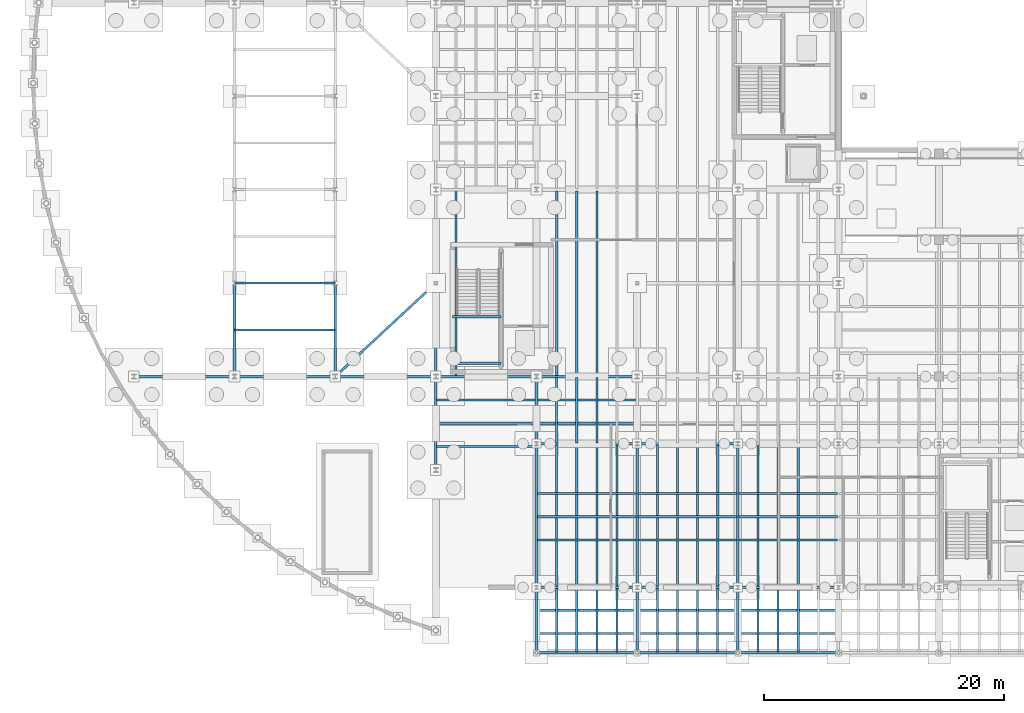
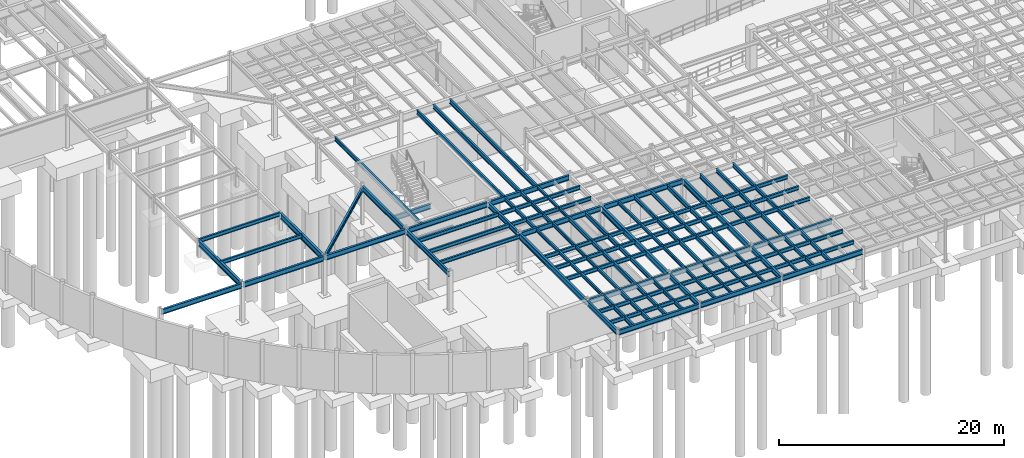
# One storey, part 24 of 41: 78 beams.
"""IFC4 building model written with IfcOpenShell, lengths in metres."""

from ifc_helpers import new_model, si_unit, direction, frame, origin, origin_2d, place, context, subcontext, project, spatial, i_section, extrude, material, material_profile, profile_set, type_object, element, save


model = new_model("IFC4")

# Units and contexts
model_context = context("Model", 3, precision=1e-05, world=origin(), true_north=direction((0.0, 1.0)))
body_context = subcontext(model_context, "Body", "Model", "MODEL_VIEW")
ifc_project = project(units=[si_unit("LENGTHUNIT", "METRE"), si_unit("AREAUNIT", "SQUARE_METRE"), si_unit("VOLUMEUNIT", "CUBIC_METRE"), si_unit("PLANEANGLEUNIT", "RADIAN"), si_unit("MASSUNIT", "GRAM", prefix="KILO")], contexts=[model_context])

# Site, building, storey
site_placement = place(None, origin())
site = spatial("IfcSite", under=ifc_project, at=site_placement, CompositionType="ELEMENT")
building_placement = place(site_placement, origin())
building = spatial("IfcBuilding", under=site, at=building_placement, Name="Selat Folded Stagehouse", CompositionType="ELEMENT")
storey_placement = place(building_placement, frame((0.0, 0.0, -4.5)))
storey = spatial("IfcBuildingStorey", under=building, at=storey_placement, Name="B1", CompositionType="ELEMENT", Elevation=-4.5)

# Beams
ifc_material = material(Name="Steel S355", Category="steel")
ifc_material_profile_1 = material_profile(ifc_material, i_section(OverallWidth=0.210693359375, OverallDepth=0.53955078125, WebThickness=0.01171875, FlangeThickness=0.018798828125, FilletRadius=0.0126953125, at=origin_2d()), Name="UKB 533x210x109")
ifc_profile_set_1 = profile_set([ifc_material_profile_1], Name="Steel S355")
beam_type_1 = type_object("IfcBeamType", Name="BM-GIRD-533x210x109", PredefinedType="BEAM", material=ifc_profile_set_1)
beam_1_placement = place(storey_placement, frame((33.60009765625, 15.679931640625, 3.980224609375), z_axis=(0.0, 1.0, 0.0), x_axis=(-1.0, 0.0, 0.0)))
element("IfcBeam", 1, at=beam_1_placement, inside=storey, type_object=beam_type_1, Name="B1 primary y-girder 0091", PredefinedType="BEAM", context=body_context, shape_type="SweptSolid", body=[
    extrude(i_section(OverallWidth=0.210693359375, OverallDepth=0.53955078125, WebThickness=0.01171875, FlangeThickness=0.018798828125, FilletRadius=0.0126953125, at=origin_2d()), origin(), (0.0, 0.0, 1.0), 7.64013671875),
])
beam_2_placement = place(storey_placement, frame((33.60009765625, 23.47998046875, 3.9501953125), z_axis=(0.0, 1.0, 0.0), x_axis=(-1.0, 0.0, 0.0)))
element("IfcBeam", 2, at=beam_2_placement, inside=storey, type_object=beam_type_1, Name="B1 primary y-girder 0092", PredefinedType="BEAM", context=body_context, shape_type="SweptSolid", body=[
    extrude(i_section(OverallWidth=0.210693359375, OverallDepth=0.53955078125, WebThickness=0.01171875, FlangeThickness=0.018798828125, FilletRadius=0.0126953125, at=origin_2d()), origin(), (0.0, 0.0, 1.0), 7.64501953125),
])
beam_3_placement = place(storey_placement, frame((42.0, 0.418212890625, 3.990234375), z_axis=(0.0, 1.0, 0.0), x_axis=(-1.0, 0.0, 0.0)))
element("IfcBeam", 3, at=beam_3_placement, inside=storey, type_object=beam_type_1, Name="B1 primary y-girder 0096", PredefinedType="BEAM", context=body_context, shape_type="SweptSolid", body=[
    extrude(i_section(OverallWidth=0.210693359375, OverallDepth=0.53955078125, WebThickness=0.01171875, FlangeThickness=0.018798828125, FilletRadius=0.0126953125, at=origin_2d()), origin(), (0.0, 0.0, 1.0), 5.3017578125),
])
beam_4_placement = place(storey_placement, frame((42.0, 17.8798828125, 3.980224609375), z_axis=(0.0, 1.0, 0.0), x_axis=(-1.0, 0.0, 0.0)))
element("IfcBeam", 4, at=beam_4_placement, inside=storey, type_object=beam_type_1, Name="B1 primary y-girder 0098", PredefinedType="BEAM", context=body_context, shape_type="SweptSolid", body=[
    extrude(i_section(OverallWidth=0.210693359375, OverallDepth=0.53955078125, WebThickness=0.01171875, FlangeThickness=0.018798828125, FilletRadius=0.0126953125, at=origin_2d()), origin(), (0.0, 0.0, 1.0), 5.440185546875),
])
for number, where, z_axis, x_axis, name in (
    (5, (50.39990234375, 0.418212890625, 3.990234375), (0.0, 1.0, 0.0), (-1.0, 0.0, 0.0), "B1 primary y-girder 0101"),
    (6, (58.800048828125, 0.418212890625, 3.990234375), (0.0, 1.0, 0.0), (-1.0, 0.0, 0.0), "B1 primary y-girder 0106"),
):
    element("IfcBeam", number, at=place(storey_placement, frame(where, z_axis=z_axis, x_axis=x_axis)), inside=storey, type_object=beam_type_1, Name=name, PredefinedType="BEAM", context=body_context, shape_type="SweptSolid", body=[
        extrude(i_section(OverallWidth=0.210693359375, OverallDepth=0.53955078125, WebThickness=0.01171875, FlangeThickness=0.018798828125, FilletRadius=0.0126953125, at=origin_2d()), origin(), (0.0, 0.0, 1.0), 5.3017578125),
    ])
ifc_material_profile_2 = material_profile(ifc_material, i_section(OverallWidth=0.209228515625, OverallDepth=0.533203125, WebThickness=0.010009765625, FlangeThickness=0.015625, FilletRadius=0.0126953125, at=origin_2d()), Name="UKB 533x210x92")
ifc_profile_set_2 = profile_set([ifc_material_profile_2], Name="Steel S355")
beam_type_2 = type_object("IfcBeamType", Name="BM-GIRD-533x210x92", PredefinedType="BEAM", material=ifc_profile_set_2)
beam_5_placement = place(storey_placement, frame((42.068115234375, 0.35009765625, 3.993408203125), z_axis=(1.0, 0.0, 0.0), x_axis=(0.0, 1.0, 0.0)))
element("IfcBeam", 7, at=beam_5_placement, inside=storey, type_object=beam_type_2, Name="B1 primary x-girder 0004", PredefinedType="BEAM", context=body_context, shape_type="SweptSolid", body=[
    extrude(i_section(OverallWidth=0.209228515625, OverallDepth=0.533203125, WebThickness=0.010009765625, FlangeThickness=0.015625, FilletRadius=0.0126953125, at=origin_2d()), origin(), (0.0, 0.0, 1.0), 8.263671875),
])
for number, where, z_axis, x_axis, name in (
    (8, (50.46826171875, 0.35009765625, 3.993408203125), (1.0, 0.0, 0.0), (0.0, 1.0, 0.0), "B1 primary x-girder 0005"),
    (9, (58.8681640625, 0.35009765625, 3.993408203125), (1.0, 0.0, 0.0), (0.0, 1.0, 0.0), "B1 primary x-girder 0006"),
):
    element("IfcBeam", number, at=place(storey_placement, frame(where, z_axis=z_axis, x_axis=x_axis)), inside=storey, type_object=beam_type_2, Name=name, PredefinedType="BEAM", context=body_context, shape_type="SweptSolid", body=[
        extrude(i_section(OverallWidth=0.209228515625, OverallDepth=0.533203125, WebThickness=0.010009765625, FlangeThickness=0.015625, FilletRadius=0.0126953125, at=origin_2d()), origin(), (0.0, 0.0, 1.0), 8.263427734375),
    ])
for number, where, z_axis, x_axis, name in (
    (10, (42.080078125, 5.800048828125, 3.9833984375), (1.0, 0.0, 0.0), (0.0, 1.0, 0.0), "B1 primary x-girder 0013"),
    (11, (50.47998046875, 5.800048828125, 3.9833984375), (1.0, 0.0, 0.0), (0.0, 1.0, 0.0), "B1 primary x-girder 0014"),
):
    element("IfcBeam", number, at=place(storey_placement, frame(where, z_axis=z_axis, x_axis=x_axis)), inside=storey, type_object=beam_type_2, Name=name, PredefinedType="BEAM", context=body_context, shape_type="SweptSolid", body=[
        extrude(i_section(OverallWidth=0.209228515625, OverallDepth=0.533203125, WebThickness=0.010009765625, FlangeThickness=0.015625, FilletRadius=0.0126953125, at=origin_2d()), origin(), (0.0, 0.0, 1.0), 8.239990234375),
    ])
beam_6_placement = place(storey_placement, frame((58.8798828125, 5.800048828125, 3.9833984375), z_axis=(1.0, 0.0, 0.0), x_axis=(0.0, 1.0, 0.0)))
element("IfcBeam", 12, at=beam_6_placement, inside=storey, type_object=beam_type_2, Name="B1 primary x-girder 0015", PredefinedType="BEAM", context=body_context, shape_type="SweptSolid", body=[
    extrude(i_section(OverallWidth=0.209228515625, OverallDepth=0.533203125, WebThickness=0.010009765625, FlangeThickness=0.015625, FilletRadius=0.0126953125, at=origin_2d()), origin(), (0.0, 0.0, 1.0), 8.240234375),
])
for number, where, z_axis, x_axis, name in (
    (13, (42.080078125, 17.800048828125, 3.9833984375), (1.0, 0.0, 0.0), (0.0, 1.0, 0.0), "B1 primary x-girder 0024"),
    (14, (50.47998046875, 17.800048828125, 3.9833984375), (1.0, 0.0, 0.0), (0.0, 1.0, 0.0), "B1 primary x-girder 0025"),
    (15, (8.47998046875, 23.39990234375, 3.9833984375), (1.0, 0.0, 0.0), (0.0, 1.0, 0.0), "B1 primary x-girder 0033"),
):
    element("IfcBeam", number, at=place(storey_placement, frame(where, z_axis=z_axis, x_axis=x_axis)), inside=storey, type_object=beam_type_2, Name=name, PredefinedType="BEAM", context=body_context, shape_type="SweptSolid", body=[
        extrude(i_section(OverallWidth=0.209228515625, OverallDepth=0.533203125, WebThickness=0.010009765625, FlangeThickness=0.015625, FilletRadius=0.0126953125, at=origin_2d()), origin(), (0.0, 0.0, 1.0), 8.239990234375),
    ])
beam_7_placement = place(storey_placement, frame((16.8798828125, 23.39990234375, 3.9833984375), z_axis=(1.0, 0.0, 0.0), x_axis=(0.0, 1.0, 0.0)))
element("IfcBeam", 16, at=beam_7_placement, inside=storey, type_object=beam_type_2, Name="B1 primary x-girder 0034", PredefinedType="BEAM", context=body_context, shape_type="SweptSolid", body=[
    extrude(i_section(OverallWidth=0.209228515625, OverallDepth=0.533203125, WebThickness=0.010009765625, FlangeThickness=0.015625, FilletRadius=0.0126953125, at=origin_2d()), origin(), (0.0, 0.0, 1.0), 8.240234375),
])
for number, where, z_axis, x_axis, name in (
    (17, (25.280029296875, 23.39990234375, 3.9833984375), (1.0, 0.0, 0.0), (0.0, 1.0, 0.0), "B1 primary x-girder 0035"),
    (18, (33.679931640625, 23.39990234375, 3.953369140625), (1.0, 0.0, 0.0), (0.0, 1.0, 0.0), "B1 primary x-girder 0036"),
    (19, (42.080078125, 23.39990234375, 3.953369140625), (1.0, 0.0, 0.0), (0.0, 1.0, 0.0), "B1 primary x-girder 0037"),
):
    element("IfcBeam", number, at=place(storey_placement, frame(where, z_axis=z_axis, x_axis=x_axis)), inside=storey, type_object=beam_type_2, Name=name, PredefinedType="BEAM", context=body_context, shape_type="SweptSolid", body=[
        extrude(i_section(OverallWidth=0.209228515625, OverallDepth=0.533203125, WebThickness=0.010009765625, FlangeThickness=0.015625, FilletRadius=0.0126953125, at=origin_2d()), origin(), (0.0, 0.0, 1.0), 8.239990234375),
    ])
for number, where, z_axis, x_axis, name in (
    (20, (35.0, 24.489990234375, 1.783447265625), (1.0, 0.0, 0.0), (0.0, 1.0, 0.0), "B1 ST-01 landing support beam 1"),
    (21, (35.0, 28.385009765625, 1.783447265625), (1.0, 0.0, 0.0), (0.0, 1.0, 0.0), "B1 ST-01 landing support beam 2"),
):
    element("IfcBeam", number, at=place(storey_placement, frame(where, z_axis=z_axis, x_axis=x_axis)), inside=storey, type_object=beam_type_2, Name=name, PredefinedType="BEAM", context=body_context, shape_type="SweptSolid", body=[
        extrude(i_section(OverallWidth=0.209228515625, OverallDepth=0.533203125, WebThickness=0.010009765625, FlangeThickness=0.015625, FilletRadius=0.0126953125, at=origin_2d()), origin(), (0.0, 0.0, 1.0), 4.050048828125),
    ])
ifc_material_profile_3 = material_profile(ifc_material, i_section(OverallWidth=0.230224609375, OverallDepth=0.6171875, WebThickness=0.01318359375, FlangeThickness=0.022216796875, FilletRadius=0.0126953125, at=origin_2d()), Name="UKB 610x229x140")
ifc_profile_set_3 = profile_set([ifc_material_profile_3], Name="Steel S355")
beam_type_3 = type_object("IfcBeamType", Name="BM-GIRD-610x229x140", PredefinedType="BEAM", material=ifc_profile_set_3)
for number, where, z_axis, x_axis, name in (
    (22, (42.0, 5.8798828125, 3.94140625), (0.0, 1.0, 0.0), (-1.0, 0.0, 0.0), "B1 primary y-girder 0097"),
    (23, (50.39990234375, 5.8798828125, 3.94140625), (0.0, 1.0, 0.0), (-1.0, 0.0, 0.0), "B1 primary y-girder 0102"),
    (24, (58.800048828125, 5.8798828125, 3.94140625), (0.0, 1.0, 0.0), (-1.0, 0.0, 0.0), "B1 primary y-girder 0107"),
):
    element("IfcBeam", number, at=place(storey_placement, frame(where, z_axis=z_axis, x_axis=x_axis)), inside=storey, type_object=beam_type_3, Name=name, PredefinedType="BEAM", context=body_context, shape_type="SweptSolid", body=[
        extrude(i_section(OverallWidth=0.230224609375, OverallDepth=0.6171875, WebThickness=0.01318359375, FlangeThickness=0.022216796875, FilletRadius=0.0126953125, at=origin_2d()), origin(), (0.0, 0.0, 1.0), 11.840087890625),
    ])
for number, where, z_axis, x_axis, name in (
    (25, (16.800048828125, 23.580078125, 3.94140625), (0.0, 1.0, 0.0), (-1.0, 0.0, 0.0), "B1 V1 sub-tier girder 168-234"),
    (26, (25.199951171875, 23.580078125, 3.94140625), (0.0, 1.0, 0.0), (-1.0, 0.0, 0.0), "B1 V1 sub-tier girder 252-234"),
):
    element("IfcBeam", number, at=place(storey_placement, frame(where, z_axis=z_axis, x_axis=x_axis)), inside=storey, type_object=beam_type_3, Name=name, PredefinedType="BEAM", context=body_context, shape_type="SweptSolid", body=[
        extrude(i_section(OverallWidth=0.230224609375, OverallDepth=0.6171875, WebThickness=0.01318359375, FlangeThickness=0.022216796875, FilletRadius=0.0126953125, at=origin_2d()), origin(), (0.0, 0.0, 1.0), 7.43994140625),
    ])
ifc_material_profile_4 = material_profile(ifc_material, i_section(OverallWidth=0.19140625, OverallDepth=0.4599609375, WebThickness=0.010009765625, FlangeThickness=0.01611328125, FilletRadius=0.01025390625, at=origin_2d()), Name="UKB 457x191x82")
ifc_profile_set_4 = profile_set([ifc_material_profile_4], Name="Steel S355")
beam_type_4 = type_object("IfcBeamType", Name="BM-RAKER-457x191x82", PredefinedType="BEAM", material=ifc_profile_set_4)
beam_8_placement = place(storey_placement, frame((33.60009765625, 31.199951171875, 3.75), z_axis=(-0.732649850048, -0.680310113035, 0.020058597342), x_axis=(0.680447014825, -0.732797284394, 0.0)))
element("IfcBeam", 27, at=beam_8_placement, inside=storey, type_object=beam_type_4, Name="B1 stalls radial raker beam S", PredefinedType="BEAM", context=body_context, shape_type="SweptSolid", body=[
    extrude(i_section(OverallWidth=0.19140625, OverallDepth=0.4599609375, WebThickness=0.010009765625, FlangeThickness=0.01611328125, FilletRadius=0.01025390625, at=origin_2d()), origin(), (0.0, 0.0, 1.0), 11.46533203125),
])
ifc_material_profile_5 = material_profile(ifc_material, i_section(OverallWidth=0.1650390625, OverallDepth=0.303466796875, WebThickness=0.006103515625, FlangeThickness=0.01025390625, FilletRadius=0.0087890625, at=origin_2d()), Name="UKB 305x165x40")
ifc_profile_set_5 = profile_set([ifc_material_profile_5], Name="Steel S355")
beam_type_5 = type_object("IfcBeamType", Name="JST-305x165x40", PredefinedType="JOIST", material=ifc_profile_set_5)
beam_9_placement = place(storey_placement, frame((47.0400390625, 17.873291015625, 4.068359375), z_axis=(0.0, 1.0, 0.0), x_axis=(-1.0, 0.0, 0.0)))
element("IfcBeam", 28, at=beam_9_placement, inside=storey, type_object=beam_type_5, Name="B1 secondary floor joist 0209", PredefinedType="JOIST", context=body_context, shape_type="SweptSolid", body=[
    extrude(i_section(OverallWidth=0.1650390625, OverallDepth=0.303466796875, WebThickness=0.006103515625, FlangeThickness=0.01025390625, FilletRadius=0.0087890625, at=origin_2d()), origin(), (0.0, 0.0, 1.0), 5.453369140625),
])
for number, where, z_axis, x_axis, name in (
    (29, (53.760009765625, 0.42333984375, 4.098388671875), (0.0, 1.0, 0.0), (-1.0, 0.0, 0.0), "B1 secondary floor joist 0225"),
    (30, (55.43994140625, 0.42333984375, 4.098388671875), (0.0, 1.0, 0.0), (-1.0, 0.0, 0.0), "B1 secondary floor joist 0231"),
    (31, (57.1201171875, 0.42333984375, 4.098388671875), (0.0, 1.0, 0.0), (-1.0, 0.0, 0.0), "B1 secondary floor joist 0237"),
    (32, (60.47998046875, 0.42333984375, 4.098388671875), (0.0, 1.0, 0.0), (-1.0, 0.0, 0.0), "B1 secondary floor joist 0243"),
):
    element("IfcBeam", number, at=place(storey_placement, frame(where, z_axis=z_axis, x_axis=x_axis)), inside=storey, type_object=beam_type_5, Name=name, PredefinedType="JOIST", context=body_context, shape_type="SweptSolid", body=[
        extrude(i_section(OverallWidth=0.1650390625, OverallDepth=0.303466796875, WebThickness=0.006103515625, FlangeThickness=0.01025390625, FilletRadius=0.0087890625, at=origin_2d()), origin(), (0.0, 0.0, 1.0), 5.303466796875),
    ])
ifc_material_profile_6 = material_profile(ifc_material, i_section(OverallWidth=0.17138671875, OverallDepth=0.35498046875, WebThickness=0.00732421875, FlangeThickness=0.011474609375, FilletRadius=0.01025390625, at=origin_2d()), Name="UKB 356x171x51")
ifc_profile_set_6 = profile_set([ifc_material_profile_6], Name="Steel S355")
beam_type_6 = type_object("IfcBeamType", Name="JST-356x171x51", PredefinedType="JOIST", material=ifc_profile_set_6)
for number, where, z_axis, x_axis, name in (
    (33, (43.679931640625, 5.873291015625, 4.072509765625), (0.0, 1.0, 0.0), (-1.0, 0.0, 0.0), "B1 secondary floor joist 0196"),
    (34, (45.360107421875, 5.873291015625, 4.072509765625), (0.0, 1.0, 0.0), (-1.0, 0.0, 0.0), "B1 secondary floor joist 0202"),
):
    element("IfcBeam", number, at=place(storey_placement, frame(where, z_axis=z_axis, x_axis=x_axis)), inside=storey, type_object=beam_type_6, Name=name, PredefinedType="JOIST", context=body_context, shape_type="SweptSolid", body=[
        extrude(i_section(OverallWidth=0.17138671875, OverallDepth=0.35498046875, WebThickness=0.00732421875, FlangeThickness=0.011474609375, FilletRadius=0.01025390625, at=origin_2d()), origin(), (0.0, 0.0, 1.0), 11.853515625),
    ])
beam_10_placement = place(storey_placement, frame((52.080078125, 0.42333984375, 4.072509765625), z_axis=(0.0, 1.0, 0.0), x_axis=(-1.0, 0.0, 0.0)))
element("IfcBeam", 35, at=beam_10_placement, inside=storey, type_object=beam_type_6, Name="B1 secondary floor joist 0219", PredefinedType="JOIST", context=body_context, shape_type="SweptSolid", body=[
    extrude(i_section(OverallWidth=0.17138671875, OverallDepth=0.35498046875, WebThickness=0.00732421875, FlangeThickness=0.011474609375, FilletRadius=0.01025390625, at=origin_2d()), origin(), (0.0, 0.0, 1.0), 5.303466796875),
])
beam_11_placement = place(storey_placement, frame((52.080078125, 5.873291015625, 4.072509765625), z_axis=(0.0, 1.0, 0.0), x_axis=(-1.0, 0.0, 0.0)))
element("IfcBeam", 36, at=beam_11_placement, inside=storey, type_object=beam_type_6, Name="B1 secondary floor joist 0220", PredefinedType="JOIST", context=body_context, shape_type="SweptSolid", body=[
    extrude(i_section(OverallWidth=0.17138671875, OverallDepth=0.35498046875, WebThickness=0.00732421875, FlangeThickness=0.011474609375, FilletRadius=0.01025390625, at=origin_2d()), origin(), (0.0, 0.0, 1.0), 11.853515625),
])
ifc_material_profile_7 = material_profile(ifc_material, i_section(OverallWidth=0.177978515625, OverallDepth=0.406494140625, WebThickness=0.0078125, FlangeThickness=0.0126953125, FilletRadius=0.01025390625, at=origin_2d()), Name="UKB 406x178x60")
ifc_profile_set_7 = profile_set([ifc_material_profile_7], Name="Steel S355")
beam_type_7 = type_object("IfcBeamType", Name="JST-406x178x60", PredefinedType="JOIST", material=ifc_profile_set_7)
beam_12_placement = place(storey_placement, frame((35.280029296875, 23.473388671875, 4.016845703125), z_axis=(0.0, 1.0, 0.0), x_axis=(-1.0, 0.0, 0.0)))
element("IfcBeam", 37, at=beam_12_placement, inside=storey, type_object=beam_type_7, Name="B1 secondary floor joist 0186", PredefinedType="JOIST", context=body_context, shape_type="SweptSolid", body=[
    extrude(i_section(OverallWidth=0.177978515625, OverallDepth=0.406494140625, WebThickness=0.0078125, FlangeThickness=0.0126953125, FilletRadius=0.01025390625, at=origin_2d()), origin(), (0.0, 0.0, 1.0), 15.453369140625),
])
for number, where, z_axis, x_axis, name in (
    (38, (43.679931640625, 17.873291015625, 4.016845703125), (0.0, 1.0, 0.0), (-1.0, 0.0, 0.0), "B1 secondary floor joist 0197"),
    (39, (45.360107421875, 17.873291015625, 4.016845703125), (0.0, 1.0, 0.0), (-1.0, 0.0, 0.0), "B1 secondary floor joist 0203"),
):
    element("IfcBeam", number, at=place(storey_placement, frame(where, z_axis=z_axis, x_axis=x_axis)), inside=storey, type_object=beam_type_7, Name=name, PredefinedType="JOIST", context=body_context, shape_type="SweptSolid", body=[
        extrude(i_section(OverallWidth=0.177978515625, OverallDepth=0.406494140625, WebThickness=0.0078125, FlangeThickness=0.0126953125, FilletRadius=0.01025390625, at=origin_2d()), origin(), (0.0, 0.0, 1.0), 5.453369140625),
    ])
for number, where, z_axis, x_axis, name in (
    (40, (47.0400390625, 0.42333984375, 4.046875), (0.0, 1.0, 0.0), (-1.0, 0.0, 0.0), "B1 secondary floor joist 0207"),
    (41, (48.719970703125, 0.42333984375, 4.046875), (0.0, 1.0, 0.0), (-1.0, 0.0, 0.0), "B1 secondary floor joist 0213"),
):
    element("IfcBeam", number, at=place(storey_placement, frame(where, z_axis=z_axis, x_axis=x_axis)), inside=storey, type_object=beam_type_7, Name=name, PredefinedType="JOIST", context=body_context, shape_type="SweptSolid", body=[
        extrude(i_section(OverallWidth=0.177978515625, OverallDepth=0.406494140625, WebThickness=0.0078125, FlangeThickness=0.0126953125, FilletRadius=0.01025390625, at=origin_2d()), origin(), (0.0, 0.0, 1.0), 5.303466796875),
    ])
for number, where, z_axis, x_axis, name in (
    (42, (42.07373046875, 1.949951171875, 4.056884765625), (1.0, 0.0, 0.0), (0.0, 1.0, 0.0), "B1 secondary x-joist 0384"),
    (43, (50.473876953125, 1.949951171875, 4.056884765625), (1.0, 0.0, 0.0), (0.0, 1.0, 0.0), "B1 secondary x-joist 0385"),
    (44, (58.873779296875, 1.949951171875, 4.056884765625), (1.0, 0.0, 0.0), (0.0, 1.0, 0.0), "B1 secondary x-joist 0386"),
    (45, (42.07373046875, 3.89990234375, 4.056884765625), (1.0, 0.0, 0.0), (0.0, 1.0, 0.0), "B1 secondary x-joist 0393"),
    (46, (50.473876953125, 3.89990234375, 4.056884765625), (1.0, 0.0, 0.0), (0.0, 1.0, 0.0), "B1 secondary x-joist 0394"),
    (47, (58.873779296875, 3.89990234375, 4.056884765625), (1.0, 0.0, 0.0), (0.0, 1.0, 0.0), "B1 secondary x-joist 0395"),
):
    element("IfcBeam", number, at=place(storey_placement, frame(where, z_axis=z_axis, x_axis=x_axis)), inside=storey, type_object=beam_type_7, Name=name, PredefinedType="JOIST", context=body_context, shape_type="SweptSolid", body=[
        extrude(i_section(OverallWidth=0.177978515625, OverallDepth=0.406494140625, WebThickness=0.0078125, FlangeThickness=0.0126953125, FilletRadius=0.01025390625, at=origin_2d()), origin(), (0.0, 0.0, 1.0), 8.25244140625),
    ])
for number, where, z_axis, x_axis, name in (
    (48, (42.08056640625, 9.75, 4.046875), (1.0, 0.0, 0.0), (0.0, 1.0, 0.0), "B1 secondary x-joist 0403"),
    (49, (50.480712890625, 9.75, 4.046875), (1.0, 0.0, 0.0), (0.0, 1.0, 0.0), "B1 secondary x-joist 0404"),
):
    element("IfcBeam", number, at=place(storey_placement, frame(where, z_axis=z_axis, x_axis=x_axis)), inside=storey, type_object=beam_type_7, Name=name, PredefinedType="JOIST", context=body_context, shape_type="SweptSolid", body=[
        extrude(i_section(OverallWidth=0.177978515625, OverallDepth=0.406494140625, WebThickness=0.0078125, FlangeThickness=0.0126953125, FilletRadius=0.01025390625, at=origin_2d()), origin(), (0.0, 0.0, 1.0), 8.23876953125),
    ])
beam_13_placement = place(storey_placement, frame((58.880615234375, 9.75, 4.046875), z_axis=(1.0, 0.0, 0.0), x_axis=(0.0, 1.0, 0.0)))
element("IfcBeam", 50, at=beam_13_placement, inside=storey, type_object=beam_type_7, Name="B1 secondary x-joist 0405", PredefinedType="JOIST", context=body_context, shape_type="SweptSolid", body=[
    extrude(i_section(OverallWidth=0.177978515625, OverallDepth=0.406494140625, WebThickness=0.0078125, FlangeThickness=0.0126953125, FilletRadius=0.01025390625, at=origin_2d()), origin(), (0.0, 0.0, 1.0), 8.2255859375),
])
for number, where, z_axis, x_axis, name in (
    (51, (42.08056640625, 11.699951171875, 4.046875), (1.0, 0.0, 0.0), (0.0, 1.0, 0.0), "B1 secondary x-joist 0411"),
    (52, (50.480712890625, 11.699951171875, 4.046875), (1.0, 0.0, 0.0), (0.0, 1.0, 0.0), "B1 secondary x-joist 0412"),
):
    element("IfcBeam", number, at=place(storey_placement, frame(where, z_axis=z_axis, x_axis=x_axis)), inside=storey, type_object=beam_type_7, Name=name, PredefinedType="JOIST", context=body_context, shape_type="SweptSolid", body=[
        extrude(i_section(OverallWidth=0.177978515625, OverallDepth=0.406494140625, WebThickness=0.0078125, FlangeThickness=0.0126953125, FilletRadius=0.01025390625, at=origin_2d()), origin(), (0.0, 0.0, 1.0), 8.23876953125),
    ])
beam_14_placement = place(storey_placement, frame((58.880615234375, 11.699951171875, 4.046875), z_axis=(1.0, 0.0, 0.0), x_axis=(0.0, 1.0, 0.0)))
element("IfcBeam", 53, at=beam_14_placement, inside=storey, type_object=beam_type_7, Name="B1 secondary x-joist 0413", PredefinedType="JOIST", context=body_context, shape_type="SweptSolid", body=[
    extrude(i_section(OverallWidth=0.177978515625, OverallDepth=0.406494140625, WebThickness=0.0078125, FlangeThickness=0.0126953125, FilletRadius=0.01025390625, at=origin_2d()), origin(), (0.0, 0.0, 1.0), 8.2255859375),
])
for number, where, z_axis, x_axis, name in (
    (54, (42.08056640625, 13.64990234375, 4.046875), (1.0, 0.0, 0.0), (0.0, 1.0, 0.0), "B1 secondary x-joist 0419"),
    (55, (50.480712890625, 13.64990234375, 4.046875), (1.0, 0.0, 0.0), (0.0, 1.0, 0.0), "B1 secondary x-joist 0420"),
):
    element("IfcBeam", number, at=place(storey_placement, frame(where, z_axis=z_axis, x_axis=x_axis)), inside=storey, type_object=beam_type_7, Name=name, PredefinedType="JOIST", context=body_context, shape_type="SweptSolid", body=[
        extrude(i_section(OverallWidth=0.177978515625, OverallDepth=0.406494140625, WebThickness=0.0078125, FlangeThickness=0.0126953125, FilletRadius=0.01025390625, at=origin_2d()), origin(), (0.0, 0.0, 1.0), 8.23876953125),
    ])
beam_15_placement = place(storey_placement, frame((58.880615234375, 13.64990234375, 4.046875), z_axis=(1.0, 0.0, 0.0), x_axis=(0.0, 1.0, 0.0)))
element("IfcBeam", 56, at=beam_15_placement, inside=storey, type_object=beam_type_7, Name="B1 secondary x-joist 0421", PredefinedType="JOIST", context=body_context, shape_type="SweptSolid", body=[
    extrude(i_section(OverallWidth=0.177978515625, OverallDepth=0.406494140625, WebThickness=0.0078125, FlangeThickness=0.0126953125, FilletRadius=0.01025390625, at=origin_2d()), origin(), (0.0, 0.0, 1.0), 8.2255859375),
])
beam_16_placement = place(storey_placement, frame((33.673828125, 17.550048828125, 4.046875), z_axis=(1.0, 0.0, 0.0), x_axis=(0.0, 1.0, 0.0)))
element("IfcBeam", 57, at=beam_16_placement, inside=storey, type_object=beam_type_7, Name="B1 secondary x-joist 0427", PredefinedType="JOIST", context=body_context, shape_type="SweptSolid", body=[
    extrude(i_section(OverallWidth=0.177978515625, OverallDepth=0.406494140625, WebThickness=0.0078125, FlangeThickness=0.0126953125, FilletRadius=0.01025390625, at=origin_2d()), origin(), (0.0, 0.0, 1.0), 8.24560546875),
])
for number, where, z_axis, x_axis, name in (
    (58, (33.673828125, 19.5, 4.046875), (1.0, 0.0, 0.0), (0.0, 1.0, 0.0), "B1 secondary x-joist 0429"),
    (59, (42.07373046875, 19.5, 4.046875), (1.0, 0.0, 0.0), (0.0, 1.0, 0.0), "B1 secondary x-joist 0430"),
    (60, (33.673828125, 21.449951171875, 4.046875), (1.0, 0.0, 0.0), (0.0, 1.0, 0.0), "B1 secondary x-joist 0439"),
    (61, (42.07373046875, 21.449951171875, 4.046875), (1.0, 0.0, 0.0), (0.0, 1.0, 0.0), "B1 secondary x-joist 0440"),
):
    element("IfcBeam", number, at=place(storey_placement, frame(where, z_axis=z_axis, x_axis=x_axis)), inside=storey, type_object=beam_type_7, Name=name, PredefinedType="JOIST", context=body_context, shape_type="SweptSolid", body=[
        extrude(i_section(OverallWidth=0.177978515625, OverallDepth=0.406494140625, WebThickness=0.0078125, FlangeThickness=0.0126953125, FilletRadius=0.01025390625, at=origin_2d()), origin(), (0.0, 0.0, 1.0), 8.25244140625),
    ])
for number, where, z_axis, x_axis, name in (
    (62, (16.820068359375, 27.300048828125, 4.046875), (1.0, 0.0, 0.0), (0.0, 1.0, 0.0), "B1 V1 sub-tier joist 273"),
    (63, (16.820068359375, 31.199951171875, 4.046875), (1.0, 0.0, 0.0), (0.0, 1.0, 0.0), "B1 V1 sub-tier joist 312"),
):
    element("IfcBeam", number, at=place(storey_placement, frame(where, z_axis=z_axis, x_axis=x_axis)), inside=storey, type_object=beam_type_7, Name=name, PredefinedType="JOIST", context=body_context, shape_type="SweptSolid", body=[
        extrude(i_section(OverallWidth=0.177978515625, OverallDepth=0.406494140625, WebThickness=0.0078125, FlangeThickness=0.0126953125, FilletRadius=0.01025390625, at=origin_2d()), origin(), (0.0, 0.0, 1.0), 8.35986328125),
    ])
ifc_material_profile_8 = material_profile(ifc_material, i_section(OverallWidth=0.18994140625, OverallDepth=0.453369140625, WebThickness=0.008544921875, FlangeThickness=0.0126953125, FilletRadius=0.01025390625, at=origin_2d()), Name="UKB 457x191x67")
ifc_profile_set_8 = profile_set([ifc_material_profile_8], Name="Steel S355")
beam_type_8 = type_object("IfcBeamType", Name="JST-457x191x67", PredefinedType="JOIST", material=ifc_profile_set_8)
beam_17_placement = place(storey_placement, frame((43.679931640625, 0.42333984375, 4.023193359375), z_axis=(0.0, 1.0, 0.0), x_axis=(-1.0, 0.0, 0.0)))
element("IfcBeam", 64, at=beam_17_placement, inside=storey, type_object=beam_type_8, Name="B1 secondary floor joist 0195", PredefinedType="JOIST", context=body_context, shape_type="SweptSolid", body=[
    extrude(i_section(OverallWidth=0.18994140625, OverallDepth=0.453369140625, WebThickness=0.008544921875, FlangeThickness=0.0126953125, FilletRadius=0.01025390625, at=origin_2d()), origin(), (0.0, 0.0, 1.0), 5.303466796875),
])
beam_18_placement = place(storey_placement, frame((43.679931640625, 23.473388671875, 3.993408203125), z_axis=(0.0, 1.0, 0.0), x_axis=(-1.0, 0.0, 0.0)))
element("IfcBeam", 65, at=beam_18_placement, inside=storey, type_object=beam_type_8, Name="B1 secondary floor joist 0198", PredefinedType="JOIST", context=body_context, shape_type="SweptSolid", body=[
    extrude(i_section(OverallWidth=0.18994140625, OverallDepth=0.453369140625, WebThickness=0.008544921875, FlangeThickness=0.0126953125, FilletRadius=0.01025390625, at=origin_2d()), origin(), (0.0, 0.0, 1.0), 15.423828125),
])
beam_19_placement = place(storey_placement, frame((45.360107421875, 0.42333984375, 4.023193359375), z_axis=(0.0, 1.0, 0.0), x_axis=(-1.0, 0.0, 0.0)))
element("IfcBeam", 66, at=beam_19_placement, inside=storey, type_object=beam_type_8, Name="B1 secondary floor joist 0201", PredefinedType="JOIST", context=body_context, shape_type="SweptSolid", body=[
    extrude(i_section(OverallWidth=0.18994140625, OverallDepth=0.453369140625, WebThickness=0.008544921875, FlangeThickness=0.0126953125, FilletRadius=0.01025390625, at=origin_2d()), origin(), (0.0, 0.0, 1.0), 5.303466796875),
])
beam_20_placement = place(storey_placement, frame((45.360107421875, 23.473388671875, 3.993408203125), z_axis=(0.0, 1.0, 0.0), x_axis=(-1.0, 0.0, 0.0)))
element("IfcBeam", 67, at=beam_20_placement, inside=storey, type_object=beam_type_8, Name="B1 secondary floor joist 0204", PredefinedType="JOIST", context=body_context, shape_type="SweptSolid", body=[
    extrude(i_section(OverallWidth=0.18994140625, OverallDepth=0.453369140625, WebThickness=0.008544921875, FlangeThickness=0.0126953125, FilletRadius=0.01025390625, at=origin_2d()), origin(), (0.0, 0.0, 1.0), 15.423828125),
])
beam_21_placement = place(storey_placement, frame((47.0400390625, 5.873291015625, 4.023193359375), z_axis=(0.0, 1.0, 0.0), x_axis=(-1.0, 0.0, 0.0)))
element("IfcBeam", 68, at=beam_21_placement, inside=storey, type_object=beam_type_8, Name="B1 secondary floor joist 0208", PredefinedType="JOIST", context=body_context, shape_type="SweptSolid", body=[
    extrude(i_section(OverallWidth=0.18994140625, OverallDepth=0.453369140625, WebThickness=0.008544921875, FlangeThickness=0.0126953125, FilletRadius=0.01025390625, at=origin_2d()), origin(), (0.0, 0.0, 1.0), 11.853515625),
])
beam_22_placement = place(storey_placement, frame((47.0400390625, 23.473388671875, 3.993408203125), z_axis=(0.0, 1.0, 0.0), x_axis=(-1.0, 0.0, 0.0)))
element("IfcBeam", 69, at=beam_22_placement, inside=storey, type_object=beam_type_8, Name="B1 secondary floor joist 0210", PredefinedType="JOIST", context=body_context, shape_type="SweptSolid", body=[
    extrude(i_section(OverallWidth=0.18994140625, OverallDepth=0.453369140625, WebThickness=0.008544921875, FlangeThickness=0.0126953125, FilletRadius=0.01025390625, at=origin_2d()), origin(), (0.0, 0.0, 1.0), 15.423828125),
])
for number, where, z_axis, x_axis, name in (
    (70, (48.719970703125, 5.873291015625, 4.023193359375), (0.0, 1.0, 0.0), (-1.0, 0.0, 0.0), "B1 secondary floor joist 0214"),
    (71, (53.760009765625, 5.873291015625, 4.023193359375), (0.0, 1.0, 0.0), (-1.0, 0.0, 0.0), "B1 secondary floor joist 0226"),
    (72, (55.43994140625, 5.873291015625, 4.023193359375), (0.0, 1.0, 0.0), (-1.0, 0.0, 0.0), "B1 secondary floor joist 0232"),
    (73, (57.1201171875, 5.873291015625, 4.023193359375), (0.0, 1.0, 0.0), (-1.0, 0.0, 0.0), "B1 secondary floor joist 0238"),
    (74, (60.47998046875, 5.873291015625, 4.023193359375), (0.0, 1.0, 0.0), (-1.0, 0.0, 0.0), "B1 secondary floor joist 0244"),
):
    element("IfcBeam", number, at=place(storey_placement, frame(where, z_axis=z_axis, x_axis=x_axis)), inside=storey, type_object=beam_type_8, Name=name, PredefinedType="JOIST", context=body_context, shape_type="SweptSolid", body=[
        extrude(i_section(OverallWidth=0.18994140625, OverallDepth=0.453369140625, WebThickness=0.008544921875, FlangeThickness=0.0126953125, FilletRadius=0.01025390625, at=origin_2d()), origin(), (0.0, 0.0, 1.0), 11.853515625),
    ])
beam_23_placement = place(storey_placement, frame((62.159912109375, 0.42333984375, 4.023193359375), z_axis=(0.0, 1.0, 0.0), x_axis=(-1.0, 0.0, 0.0)))
element("IfcBeam", 75, at=beam_23_placement, inside=storey, type_object=beam_type_8, Name="B1 secondary floor joist 0248", PredefinedType="JOIST", context=body_context, shape_type="SweptSolid", body=[
    extrude(i_section(OverallWidth=0.18994140625, OverallDepth=0.453369140625, WebThickness=0.008544921875, FlangeThickness=0.0126953125, FilletRadius=0.01025390625, at=origin_2d()), origin(), (0.0, 0.0, 1.0), 5.303466796875),
])
beam_24_placement = place(storey_placement, frame((62.159912109375, 5.873291015625, 4.023193359375), z_axis=(0.0, 1.0, 0.0), x_axis=(-1.0, 0.0, 0.0)))
element("IfcBeam", 76, at=beam_24_placement, inside=storey, type_object=beam_type_8, Name="B1 secondary floor joist 0249", PredefinedType="JOIST", context=body_context, shape_type="SweptSolid", body=[
    extrude(i_section(OverallWidth=0.18994140625, OverallDepth=0.453369140625, WebThickness=0.008544921875, FlangeThickness=0.0126953125, FilletRadius=0.01025390625, at=origin_2d()), origin(), (0.0, 0.0, 1.0), 11.853515625),
])
beam_25_placement = place(storey_placement, frame((63.840087890625, 0.42333984375, 4.023193359375), z_axis=(0.0, 1.0, 0.0), x_axis=(-1.0, 0.0, 0.0)))
element("IfcBeam", 77, at=beam_25_placement, inside=storey, type_object=beam_type_8, Name="B1 secondary floor joist 0253", PredefinedType="JOIST", context=body_context, shape_type="SweptSolid", body=[
    extrude(i_section(OverallWidth=0.18994140625, OverallDepth=0.453369140625, WebThickness=0.008544921875, FlangeThickness=0.0126953125, FilletRadius=0.01025390625, at=origin_2d()), origin(), (0.0, 0.0, 1.0), 5.303466796875),
])
beam_26_placement = place(storey_placement, frame((63.840087890625, 5.873291015625, 4.023193359375), z_axis=(0.0, 1.0, 0.0), x_axis=(-1.0, 0.0, 0.0)))
element("IfcBeam", 78, at=beam_26_placement, inside=storey, type_object=beam_type_8, Name="B1 secondary floor joist 0254", PredefinedType="JOIST", context=body_context, shape_type="SweptSolid", body=[
    extrude(i_section(OverallWidth=0.18994140625, OverallDepth=0.453369140625, WebThickness=0.008544921875, FlangeThickness=0.0126953125, FilletRadius=0.01025390625, at=origin_2d()), origin(), (0.0, 0.0, 1.0), 11.853515625),
])

save(model, "model.ifc")
